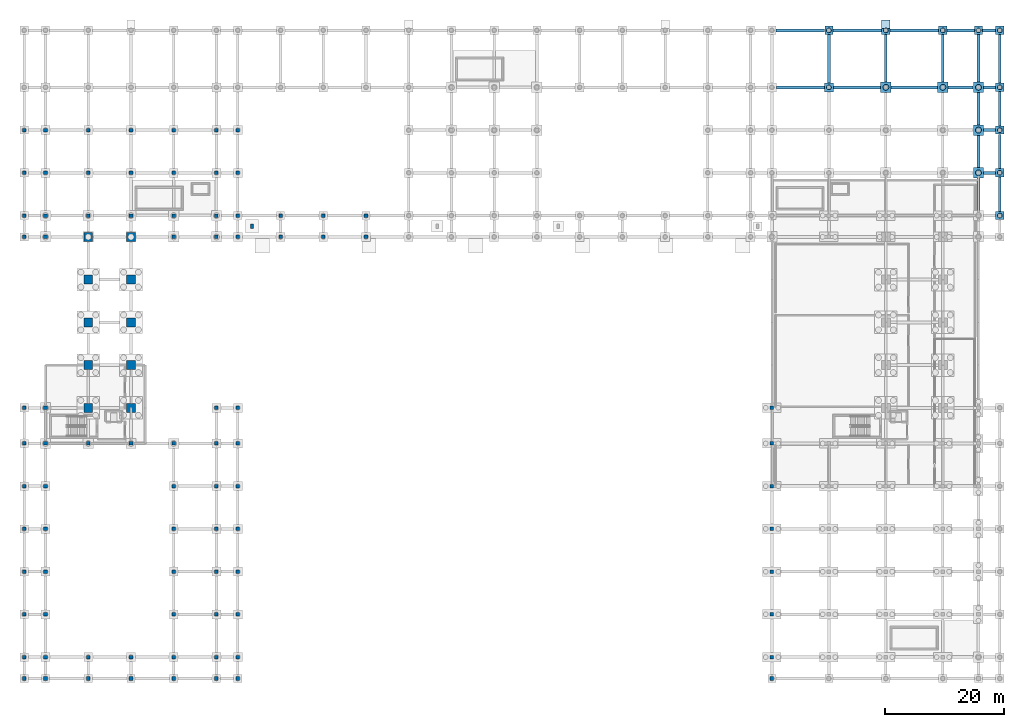
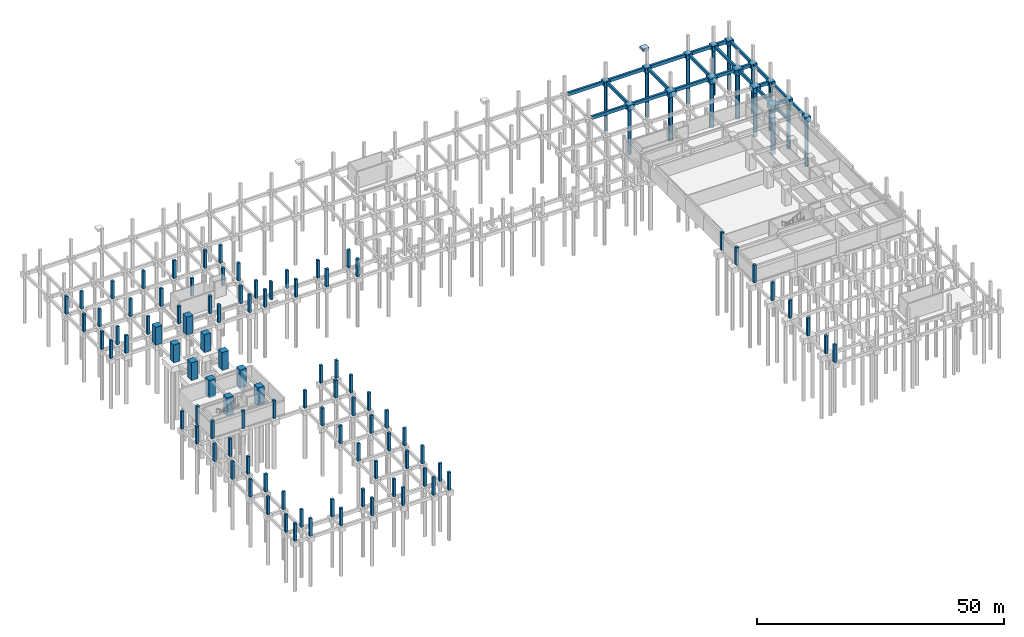
# One storey, part 11 of 20: 96 columns, 39 footings, 15 piles.
"""IFC4 building model written with IfcOpenShell, lengths in metres."""

from ifc_helpers import new_model, si_unit, direction, frame, origin, origin_2d, place, context, subcontext, project, spatial, polyline, rectangle, circle, outline, extrude, material, material_profile, profile_set, type_object, element, save


model = new_model("IFC4")

# Units and contexts
model_context = context("Model", 3, precision=1e-05, world=origin(), true_north=direction((0.0, 1.0)))
body_context = subcontext(model_context, "Body", "Model", "MODEL_VIEW")
ifc_project = project(units=[si_unit("LENGTHUNIT", "METRE"), si_unit("AREAUNIT", "SQUARE_METRE"), si_unit("VOLUMEUNIT", "CUBIC_METRE"), si_unit("PLANEANGLEUNIT", "RADIAN"), si_unit("MASSUNIT", "GRAM", prefix="KILO")], contexts=[model_context])

# Site, building, storey
site_placement = place(None, origin())
site = spatial("IfcSite", under=ifc_project, at=site_placement, CompositionType="ELEMENT")
building_placement = place(site_placement, origin())
building = spatial("IfcBuilding", under=site, at=building_placement, Name="Nzembalo Square Collegiate School", CompositionType="ELEMENT")
storey_placement = place(building_placement, frame((0.0, 0.0, -4.080078125)))
storey = spatial("IfcBuildingStorey", under=building, at=storey_placement, Name="B1", CompositionType="ELEMENT", Elevation=-4.080078125)

# Footings
ifc_material_1 = material(Name="Concrete C35/45", Category="concrete")
footing_type_1 = type_object("IfcFootingType", Name="PC05", PredefinedType="PILE_CAP", material=ifc_material_1)
for number, where, z_axis, x_axis, name in (
    (1, (150.0, 104.39990234375, -1.60009765625), (0.0, 0.0, 1.0), (1.0, 0.0, 0.0), "Pile cap PC05 at 22/P"),
    (2, (159.60009765625, 104.39990234375, -1.60009765625), (0.0, 0.0, 1.0), (1.0, 0.0, 0.0), "Pile cap PC05 at 23/P"),
    (3, (165.60009765625, 90.0, -1.60009765625), (0.0, 0.0, 1.0), (1.0, 0.0, 0.0), "Pile cap PC05 at 24/N"),
    (4, (165.60009765625, 97.199951171875, -1.60009765625), (0.0, 0.0, 1.0), (1.0, 0.0, 0.0), "Pile cap PC05 at 24/O"),
    (5, (165.60009765625, 104.39990234375, -1.60009765625), (0.0, 0.0, 1.0), (1.0, 0.0, 0.0), "Pile cap PC05 at 24/P"),
):
    element("IfcFooting", number, at=place(storey_placement, frame(where, z_axis=z_axis, x_axis=x_axis)), inside=storey, type_object=footing_type_1, Name=name, PredefinedType="PILE_CAP", context=body_context, shape_type="SweptSolid", body=[
        extrude(rectangle(XDim=1.75, YDim=1.75, at=origin_2d()), origin(), (0.0, 0.0, 1.0), 1.300048828125),
    ])
ifc_material_2 = material(Name="Concrete C35/45", Category="concrete")
footing_type_2 = type_object("IfcFootingType", Name="PC06", PredefinedType="PILE_CAP", material=ifc_material_2)
footing_1_placement = place(storey_placement, frame((140.39990234375, 104.39990234375, -1.5498046875), z_axis=(0.0, 0.0, 1.0), x_axis=(1.0, 0.0, 0.0)))
element("IfcFooting", 6, at=footing_1_placement, inside=storey, type_object=footing_type_2, Name="Pile cap PC06 at 21/P", PredefinedType="PILE_CAP", context=body_context, shape_type="SweptSolid", body=[
    extrude(rectangle(XDim=1.5, YDim=1.5, at=origin_2d()), origin(), (0.0, 0.0, 1.0), 1.25),
])
ifc_material_3 = material(Name="Concrete C35/45", Category="concrete")
footing_type_3 = type_object("IfcFootingType", Name="PC07", PredefinedType="PILE_CAP", material=ifc_material_3)
for number, where, z_axis, x_axis, name in (
    (7, (140.39990234375, 114.0, -1.5), (0.0, 0.0, 1.0), (1.0, 0.0, 0.0), "Pile cap PC07 at 21/Q"),
    (8, (150.0, 114.0, -1.5), (0.0, 0.0, 1.0), (1.0, 0.0, 0.0), "Pile cap PC07 at 22/Q"),
    (9, (159.60009765625, 114.0, -1.5), (0.0, 0.0, 1.0), (1.0, 0.0, 0.0), "Pile cap PC07 at 23/Q"),
    (10, (165.60009765625, 114.0, -1.5), (0.0, 0.0, 1.0), (1.0, 0.0, 0.0), "Pile cap PC07 at 24/Q"),
    (11, (169.199951171875, 82.800048828125, -1.5), (0.0, 0.0, 1.0), (1.0, 0.0, 0.0), "Pile cap PC07 at 25/M"),
    (12, (169.199951171875, 90.0, -1.5), (0.0, 0.0, 1.0), (1.0, 0.0, 0.0), "Pile cap PC07 at 25/N"),
    (13, (169.199951171875, 97.199951171875, -1.5), (0.0, 0.0, 1.0), (1.0, 0.0, 0.0), "Pile cap PC07 at 25/O"),
    (14, (169.199951171875, 104.39990234375, -1.5), (0.0, 0.0, 1.0), (1.0, 0.0, 0.0), "Pile cap PC07 at 25/P"),
    (15, (169.199951171875, 114.0, -1.5), (0.0, 0.0, 1.0), (1.0, 0.0, 0.0), "Pile cap PC07 at 25/Q"),
):
    element("IfcFooting", number, at=place(storey_placement, frame(where, z_axis=z_axis, x_axis=x_axis)), inside=storey, type_object=footing_type_3, Name=name, PredefinedType="PILE_CAP", context=body_context, shape_type="SweptSolid", body=[
        extrude(rectangle(XDim=1.39990234375, YDim=1.39990234375, at=origin_2d()), origin(), (0.0, 0.0, 1.0), 1.199951171875),
    ])
ifc_material_4 = material(Name="Concrete C30/37", Category="concrete")
footing_type_4 = type_object("IfcFootingType", Name="FG01", PredefinedType="FOOTING_BEAM", material=ifc_material_4)
footing_2_placement = place(storey_placement, frame((0.0, 0.0, -1.099853515625)))
element("IfcFooting", 16, at=footing_2_placement, inside=storey, type_object=footing_type_4, Name="Ground beam FG01 24-25/N", PredefinedType="FOOTING_BEAM", context=body_context, shape_type="SweptSolid", body=[
    extrude(outline(polyline([(166.485107421875, 89.75), (168.489990234375, 89.75), (168.489990234375, 90.25), (166.485107421875, 90.25), (166.485107421875, 89.75)])), origin(), (0.0, 0.0, 1.0), 0.800048828125),
])
footing_3_placement = place(storey_placement, frame((0.0, 0.0, -1.099853515625)))
element("IfcFooting", 17, at=footing_3_placement, inside=storey, type_object=footing_type_4, Name="Ground beam FG01 24-25/O", PredefinedType="FOOTING_BEAM", context=body_context, shape_type="SweptSolid", body=[
    extrude(outline(polyline([(166.485107421875, 96.949951171875), (168.489990234375, 96.949951171875), (168.489990234375, 97.449951171875), (166.485107421875, 97.449951171875), (166.485107421875, 96.949951171875)])), origin(), (0.0, 0.0, 1.0), 0.800048828125),
])
footing_4_placement = place(storey_placement, frame((0.0, 0.0, -1.099853515625)))
element("IfcFooting", 18, at=footing_4_placement, inside=storey, type_object=footing_type_4, Name="Ground beam FG01 20-21/P", PredefinedType="FOOTING_BEAM", context=body_context, shape_type="SweptSolid", body=[
    extrude(outline(polyline([(131.56005859375, 104.14990234375), (139.639892578125, 104.14990234375), (139.639892578125, 104.64990234375), (131.56005859375, 104.64990234375), (131.56005859375, 104.14990234375)])), origin(), (0.0, 0.0, 1.0), 0.800048828125),
])
footing_5_placement = place(storey_placement, frame((0.0, 0.0, -1.099853515625)))
element("IfcFooting", 19, at=footing_5_placement, inside=storey, type_object=footing_type_4, Name="Ground beam FG01 21-22/P", PredefinedType="FOOTING_BEAM", context=body_context, shape_type="SweptSolid", body=[
    extrude(outline(polyline([(141.159912109375, 104.14990234375), (149.114990234375, 104.14990234375), (149.114990234375, 104.64990234375), (141.159912109375, 104.64990234375), (141.159912109375, 104.14990234375)])), origin(), (0.0, 0.0, 1.0), 0.800048828125),
])
footing_6_placement = place(storey_placement, frame((0.0, 0.0, -1.099853515625)))
element("IfcFooting", 20, at=footing_6_placement, inside=storey, type_object=footing_type_4, Name="Ground beam FG01 22-23/P", PredefinedType="FOOTING_BEAM", context=body_context, shape_type="SweptSolid", body=[
    extrude(outline(polyline([(150.885009765625, 104.14990234375), (158.715087890625, 104.14990234375), (158.715087890625, 104.64990234375), (150.885009765625, 104.64990234375), (150.885009765625, 104.14990234375)])), origin(), (0.0, 0.0, 1.0), 0.800048828125),
])
footing_7_placement = place(storey_placement, frame((0.0, 0.0, -1.099853515625)))
element("IfcFooting", 21, at=footing_7_placement, inside=storey, type_object=footing_type_4, Name="Ground beam FG01 23-24/P", PredefinedType="FOOTING_BEAM", context=body_context, shape_type="SweptSolid", body=[
    extrude(outline(polyline([(160.485107421875, 104.14990234375), (164.715087890625, 104.14990234375), (164.715087890625, 104.64990234375), (160.485107421875, 104.64990234375), (160.485107421875, 104.14990234375)])), origin(), (0.0, 0.0, 1.0), 0.800048828125),
])
footing_8_placement = place(storey_placement, frame((0.0, 0.0, -1.099853515625)))
element("IfcFooting", 22, at=footing_8_placement, inside=storey, type_object=footing_type_4, Name="Ground beam FG01 24-25/P", PredefinedType="FOOTING_BEAM", context=body_context, shape_type="SweptSolid", body=[
    extrude(outline(polyline([(166.485107421875, 104.14990234375), (168.489990234375, 104.14990234375), (168.489990234375, 104.64990234375), (166.485107421875, 104.64990234375), (166.485107421875, 104.14990234375)])), origin(), (0.0, 0.0, 1.0), 0.800048828125),
])
footing_9_placement = place(storey_placement, frame((0.0, 0.0, -1.099853515625)))
element("IfcFooting", 23, at=footing_9_placement, inside=storey, type_object=footing_type_4, Name="Ground beam FG01 20-21/Q", PredefinedType="FOOTING_BEAM", context=body_context, shape_type="SweptSolid", body=[
    extrude(outline(polyline([(131.510009765625, 113.75), (139.68994140625, 113.75), (139.68994140625, 114.25), (131.510009765625, 114.25), (131.510009765625, 113.75)])), origin(), (0.0, 0.0, 1.0), 0.800048828125),
])
footing_10_placement = place(storey_placement, frame((0.0, 0.0, -1.099853515625)))
element("IfcFooting", 24, at=footing_10_placement, inside=storey, type_object=footing_type_4, Name="Ground beam FG01 21-22/Q", PredefinedType="FOOTING_BEAM", context=body_context, shape_type="SweptSolid", body=[
    extrude(outline(polyline([(141.110107421875, 113.75), (149.2900390625, 113.75), (149.2900390625, 114.25), (141.110107421875, 114.25), (141.110107421875, 113.75)])), origin(), (0.0, 0.0, 1.0), 0.800048828125),
])
footing_11_placement = place(storey_placement, frame((0.0, 0.0, -1.099853515625)))
element("IfcFooting", 25, at=footing_11_placement, inside=storey, type_object=footing_type_4, Name="Ground beam FG01 22-23/Q", PredefinedType="FOOTING_BEAM", context=body_context, shape_type="SweptSolid", body=[
    extrude(outline(polyline([(150.7099609375, 113.75), (158.889892578125, 113.75), (158.889892578125, 114.25), (150.7099609375, 114.25), (150.7099609375, 113.75)])), origin(), (0.0, 0.0, 1.0), 0.800048828125),
])
footing_12_placement = place(storey_placement, frame((0.0, 0.0, -1.099853515625)))
element("IfcFooting", 26, at=footing_12_placement, inside=storey, type_object=footing_type_4, Name="Ground beam FG01 23-24/Q", PredefinedType="FOOTING_BEAM", context=body_context, shape_type="SweptSolid", body=[
    extrude(outline(polyline([(160.31005859375, 113.75), (164.889892578125, 113.75), (164.889892578125, 114.25), (160.31005859375, 114.25), (160.31005859375, 113.75)])), origin(), (0.0, 0.0, 1.0), 0.800048828125),
])
footing_13_placement = place(storey_placement, frame((0.0, 0.0, -1.099853515625)))
element("IfcFooting", 27, at=footing_13_placement, inside=storey, type_object=footing_type_4, Name="Ground beam FG01 24-25/Q", PredefinedType="FOOTING_BEAM", context=body_context, shape_type="SweptSolid", body=[
    extrude(outline(polyline([(166.31005859375, 113.75), (168.489990234375, 113.75), (168.489990234375, 114.25), (166.31005859375, 114.25), (166.31005859375, 113.75)])), origin(), (0.0, 0.0, 1.0), 0.800048828125),
])
ifc_material_5 = material(Name="Concrete C30/37", Category="concrete")
footing_type_5 = type_object("IfcFootingType", Name="FG02", PredefinedType="FOOTING_BEAM", material=ifc_material_5)
footing_14_placement = place(storey_placement, frame((0.0, 0.0, -1.0)))
element("IfcFooting", 28, at=footing_14_placement, inside=storey, type_object=footing_type_5, Name="Ground beam FG02 21/P-Q", PredefinedType="FOOTING_BEAM", context=body_context, shape_type="SweptSolid", body=[
    extrude(outline(polyline([(140.175048828125, 105.159912109375), (140.625, 105.159912109375), (140.625, 113.2900390625), (140.175048828125, 113.2900390625), (140.175048828125, 105.159912109375)])), origin(), (0.0, 0.0, 1.0), 0.7001953125),
])
footing_15_placement = place(storey_placement, frame((0.0, 0.0, -1.0)))
element("IfcFooting", 29, at=footing_15_placement, inside=storey, type_object=footing_type_5, Name="Ground beam FG02 22/P-Q", PredefinedType="FOOTING_BEAM", context=body_context, shape_type="SweptSolid", body=[
    extrude(outline(polyline([(149.77490234375, 105.284912109375), (150.22509765625, 105.284912109375), (150.22509765625, 113.2900390625), (149.77490234375, 113.2900390625), (149.77490234375, 105.284912109375)])), origin(), (0.0, 0.0, 1.0), 0.7001953125),
])
footing_16_placement = place(storey_placement, frame((0.0, 0.0, -1.0)))
element("IfcFooting", 30, at=footing_16_placement, inside=storey, type_object=footing_type_5, Name="Ground beam FG02 23/P-Q", PredefinedType="FOOTING_BEAM", context=body_context, shape_type="SweptSolid", body=[
    extrude(outline(polyline([(159.375, 105.284912109375), (159.824951171875, 105.284912109375), (159.824951171875, 113.2900390625), (159.375, 113.2900390625), (159.375, 105.284912109375)])), origin(), (0.0, 0.0, 1.0), 0.7001953125),
])
footing_17_placement = place(storey_placement, frame((0.0, 0.0, -1.0)))
element("IfcFooting", 31, at=footing_17_placement, inside=storey, type_object=footing_type_5, Name="Ground beam FG02 24/M-N", PredefinedType="FOOTING_BEAM", context=body_context, shape_type="SweptSolid", body=[
    extrude(outline(polyline([(165.375, 83.68505859375), (165.824951171875, 83.68505859375), (165.824951171875, 89.114990234375), (165.375, 89.114990234375), (165.375, 83.68505859375)])), origin(), (0.0, 0.0, 1.0), 0.7001953125),
])
footing_18_placement = place(storey_placement, frame((0.0, 0.0, -1.0)))
element("IfcFooting", 32, at=footing_18_placement, inside=storey, type_object=footing_type_5, Name="Ground beam FG02 24/N-O", PredefinedType="FOOTING_BEAM", context=body_context, shape_type="SweptSolid", body=[
    extrude(outline(polyline([(165.375, 90.885009765625), (165.824951171875, 90.885009765625), (165.824951171875, 96.31494140625), (165.375, 96.31494140625), (165.375, 90.885009765625)])), origin(), (0.0, 0.0, 1.0), 0.7001953125),
])
footing_19_placement = place(storey_placement, frame((0.0, 0.0, -1.0)))
element("IfcFooting", 33, at=footing_19_placement, inside=storey, type_object=footing_type_5, Name="Ground beam FG02 24/O-P", PredefinedType="FOOTING_BEAM", context=body_context, shape_type="SweptSolid", body=[
    extrude(outline(polyline([(165.375, 98.0849609375), (165.824951171875, 98.0849609375), (165.824951171875, 103.514892578125), (165.375, 103.514892578125), (165.375, 98.0849609375)])), origin(), (0.0, 0.0, 1.0), 0.7001953125),
])
footing_20_placement = place(storey_placement, frame((0.0, 0.0, -1.0)))
element("IfcFooting", 34, at=footing_20_placement, inside=storey, type_object=footing_type_5, Name="Ground beam FG02 24/P-Q", PredefinedType="FOOTING_BEAM", context=body_context, shape_type="SweptSolid", body=[
    extrude(outline(polyline([(165.375, 105.284912109375), (165.824951171875, 105.284912109375), (165.824951171875, 113.2900390625), (165.375, 113.2900390625), (165.375, 105.284912109375)])), origin(), (0.0, 0.0, 1.0), 0.7001953125),
])
footing_21_placement = place(storey_placement, frame((0.0, 0.0, -1.0)))
element("IfcFooting", 35, at=footing_21_placement, inside=storey, type_object=footing_type_5, Name="Ground beam FG02 25/M-N", PredefinedType="FOOTING_BEAM", context=body_context, shape_type="SweptSolid", body=[
    extrude(outline(polyline([(168.97509765625, 83.510009765625), (169.425048828125, 83.510009765625), (169.425048828125, 89.2900390625), (168.97509765625, 89.2900390625), (168.97509765625, 83.510009765625)])), origin(), (0.0, 0.0, 1.0), 0.7001953125),
])
footing_22_placement = place(storey_placement, frame((0.0, 0.0, -1.0)))
element("IfcFooting", 36, at=footing_22_placement, inside=storey, type_object=footing_type_5, Name="Ground beam FG02 25/N-O", PredefinedType="FOOTING_BEAM", context=body_context, shape_type="SweptSolid", body=[
    extrude(outline(polyline([(168.97509765625, 90.7099609375), (169.425048828125, 90.7099609375), (169.425048828125, 96.489990234375), (168.97509765625, 96.489990234375), (168.97509765625, 90.7099609375)])), origin(), (0.0, 0.0, 1.0), 0.7001953125),
])
footing_23_placement = place(storey_placement, frame((0.0, 0.0, -1.0)))
element("IfcFooting", 37, at=footing_23_placement, inside=storey, type_object=footing_type_5, Name="Ground beam FG02 25/O-P", PredefinedType="FOOTING_BEAM", context=body_context, shape_type="SweptSolid", body=[
    extrude(outline(polyline([(168.97509765625, 97.909912109375), (169.425048828125, 97.909912109375), (169.425048828125, 103.68994140625), (168.97509765625, 103.68994140625), (168.97509765625, 97.909912109375)])), origin(), (0.0, 0.0, 1.0), 0.7001953125),
])
footing_24_placement = place(storey_placement, frame((0.0, 0.0, -1.0)))
element("IfcFooting", 38, at=footing_24_placement, inside=storey, type_object=footing_type_5, Name="Ground beam FG02 25/P-Q", PredefinedType="FOOTING_BEAM", context=body_context, shape_type="SweptSolid", body=[
    extrude(outline(polyline([(168.97509765625, 105.110107421875), (169.425048828125, 105.110107421875), (169.425048828125, 113.2900390625), (168.97509765625, 113.2900390625), (168.97509765625, 105.110107421875)])), origin(), (0.0, 0.0, 1.0), 0.7001953125),
])
ifc_material_6 = material(Name="Concrete C35/45", Category="concrete")
footing_type_6 = type_object("IfcFootingType", Name="PF06", PredefinedType="PAD_FOOTING", material=ifc_material_6)
footing_25_placement = place(storey_placement, frame((150.0, 115.050048828125, 3.260009765625), z_axis=(0.0, 0.0, 1.0), x_axis=(1.0, 0.0, 0.0)))
element("IfcFooting", 39, at=footing_25_placement, inside=storey, type_object=footing_type_6, Name="Apron foundation pad PF06-04", PredefinedType="PAD_FOOTING", context=body_context, shape_type="SweptSolid", body=[
    extrude(rectangle(XDim=1.39990234375, YDim=1.39990234375, at=origin_2d()), origin(), (0.0, 0.0, 1.0), 0.60009765625),
])

# Piles
ifc_material_7 = material(Name="Concrete C30/37", Category="concrete")
ifc_material_profile_1 = material_profile(ifc_material_7, circle(Radius=0.5, at=origin_2d()), Name="PILE D1000")
ifc_profile_set_1 = profile_set([ifc_material_profile_1], Name="Concrete C30/37")
pile_type_1 = type_object("IfcPileType", Name="P01", PredefinedType="BORED", material=ifc_profile_set_1)
for number, where, z_axis, x_axis, name in (
    (40, (150.0, 104.39990234375, -1.5), (0.0, 0.0, -1.0), (1.0, 0.0, 0.0), "Bored pile P01-158"),
    (41, (159.60009765625, 104.39990234375, -1.5), (0.0, 0.0, -1.0), (1.0, 0.0, 0.0), "Bored pile P01-195"),
    (42, (165.60009765625, 90.0, -1.5), (0.0, 0.0, -1.0), (1.0, 0.0, 0.0), "Bored pile P01-213"),
    (43, (165.60009765625, 97.199951171875, -1.5), (0.0, 0.0, -1.0), (1.0, 0.0, 0.0), "Bored pile P01-214"),
    (44, (165.60009765625, 104.39990234375, -1.5), (0.0, 0.0, -1.0), (1.0, 0.0, 0.0), "Bored pile P01-215"),
):
    element("IfcPile", number, at=place(storey_placement, frame(where, z_axis=z_axis, x_axis=x_axis)), inside=storey, type_object=pile_type_1, Name=name, PredefinedType="BORED", context=body_context, shape_type="SweptSolid", body=[
        extrude(circle(Radius=0.5, at=origin_2d()), origin(), (0.0, 0.0, 1.0), 11.219970703125),
    ])
ifc_material_8 = material(Name="Concrete C30/37", Category="concrete")
ifc_material_profile_2 = material_profile(ifc_material_8, circle(Radius=0.39990234375, at=origin_2d()), Name="PILE D800")
ifc_profile_set_2 = profile_set([ifc_material_profile_2], Name="Concrete C30/37")
pile_type_2 = type_object("IfcPileType", Name="P02", PredefinedType="BORED", material=ifc_profile_set_2)
pile_placement = place(storey_placement, frame((140.39990234375, 104.39990234375, -1.449951171875), z_axis=(0.0, 0.0, -1.0), x_axis=(1.0, 0.0, 0.0)))
element("IfcPile", 45, at=pile_placement, inside=storey, type_object=pile_type_2, Name="Bored pile P02-121", PredefinedType="BORED", context=body_context, shape_type="SweptSolid", body=[
    extrude(circle(Radius=0.39990234375, at=origin_2d()), origin(), (0.0, 0.0, 1.0), 11.27001953125),
])
for number, where, z_axis, x_axis, name in (
    (46, (140.39990234375, 114.0, -1.39990234375), (0.0, 0.0, -1.0), (1.0, 0.0, 0.0), "Bored pile P02-122"),
    (47, (150.0, 114.0, -1.39990234375), (0.0, 0.0, -1.0), (1.0, 0.0, 0.0), "Bored pile P02-159"),
    (48, (159.60009765625, 114.0, -1.39990234375), (0.0, 0.0, -1.0), (1.0, 0.0, 0.0), "Bored pile P02-196"),
    (49, (165.60009765625, 114.0, -1.39990234375), (0.0, 0.0, -1.0), (1.0, 0.0, 0.0), "Bored pile P02-216"),
    (50, (169.199951171875, 82.800048828125, -1.39990234375), (0.0, 0.0, -1.0), (1.0, 0.0, 0.0), "Bored pile P02-226"),
    (51, (169.199951171875, 90.0, -1.39990234375), (0.0, 0.0, -1.0), (1.0, 0.0, 0.0), "Bored pile P02-227"),
    (52, (169.199951171875, 97.199951171875, -1.39990234375), (0.0, 0.0, -1.0), (1.0, 0.0, 0.0), "Bored pile P02-228"),
    (53, (169.199951171875, 104.39990234375, -1.39990234375), (0.0, 0.0, -1.0), (1.0, 0.0, 0.0), "Bored pile P02-229"),
    (54, (169.199951171875, 114.0, -1.39990234375), (0.0, 0.0, -1.0), (1.0, 0.0, 0.0), "Bored pile P02-230"),
):
    element("IfcPile", number, at=place(storey_placement, frame(where, z_axis=z_axis, x_axis=x_axis)), inside=storey, type_object=pile_type_2, Name=name, PredefinedType="BORED", context=body_context, shape_type="SweptSolid", body=[
        extrude(circle(Radius=0.39990234375, at=origin_2d()), origin(), (0.0, 0.0, 1.0), 11.320068359375),
    ])

# Columns
ifc_material_9 = material(Name="Concrete C40/50", Category="concrete")
ifc_material_profile_3 = material_profile(ifc_material_9, rectangle(XDim=1.5, YDim=1.5, at=origin_2d()), Name="RC 1500x1500")
ifc_profile_set_3 = profile_set([ifc_material_profile_3], Name="Concrete C40/50")
column_type_1 = type_object("IfcColumnType", Name="C01", PredefinedType="COLUMN", material=ifc_profile_set_3)
for number, where, z_axis, x_axis, name in (
    (55, (15.60009765625, 50.39990234375, -0.2998046875), (0.0, 0.0, 1.0), (1.0, 0.0, 0.0), "Column C01 B1 3/H"),
    (56, (15.60009765625, 57.60009765625, -0.2998046875), (0.0, 0.0, 1.0), (1.0, 0.0, 0.0), "Column C01 B1 3/I"),
    (57, (15.60009765625, 64.800048828125, -0.2998046875), (0.0, 0.0, 1.0), (1.0, 0.0, 0.0), "Column C01 B1 3/J"),
    (58, (15.60009765625, 72.0, -0.2998046875), (0.0, 0.0, 1.0), (1.0, 0.0, 0.0), "Column C01 B1 3/K"),
    (59, (15.60009765625, 79.199951171875, -0.2998046875), (0.0, 0.0, 1.0), (1.0, 0.0, 0.0), "Column C01 B1 3/L"),
    (60, (22.800048828125, 50.39990234375, -0.2998046875), (0.0, 0.0, 1.0), (1.0, 0.0, 0.0), "Column C01 B1 4/H"),
    (61, (22.800048828125, 57.60009765625, -0.2998046875), (0.0, 0.0, 1.0), (1.0, 0.0, 0.0), "Column C01 B1 4/I"),
    (62, (22.800048828125, 64.800048828125, -0.2998046875), (0.0, 0.0, 1.0), (1.0, 0.0, 0.0), "Column C01 B1 4/J"),
    (63, (22.800048828125, 72.0, -0.2998046875), (0.0, 0.0, 1.0), (1.0, 0.0, 0.0), "Column C01 B1 4/K"),
    (64, (22.800048828125, 79.199951171875, -0.2998046875), (0.0, 0.0, 1.0), (1.0, 0.0, 0.0), "Column C01 B1 4/L"),
):
    element("IfcColumn", number, at=place(storey_placement, frame(where, z_axis=z_axis, x_axis=x_axis)), inside=storey, type_object=column_type_1, Name=name, PredefinedType="COLUMN", context=body_context, shape_type="SweptSolid", body=[
        extrude(rectangle(XDim=1.5, YDim=1.5, at=origin_2d()), origin(), (0.0, 0.0, 1.0), 4.3798828125),
    ])
ifc_material_10 = material(Name="Concrete C35/45", Category="concrete")
ifc_material_profile_4 = material_profile(ifc_material_10, rectangle(XDim=0.60009765625, YDim=0.60009765625, at=origin_2d()), Name="RC 600x600")
ifc_profile_set_4 = profile_set([ifc_material_profile_4], Name="Concrete C35/45")
column_type_2 = type_object("IfcColumnType", Name="C03", PredefinedType="COLUMN", material=ifc_profile_set_4)
for number, where, z_axis, x_axis, name in (
    (65, (4.800048828125, 4.800048828125, -0.2998046875), (0.0, 0.0, 1.0), (1.0, 0.0, 0.0), "Column C03 B1 1/A"),
    (66, (4.800048828125, 8.39990234375, -0.2998046875), (0.0, 0.0, 1.0), (1.0, 0.0, 0.0), "Column C03 B1 1/B"),
    (67, (4.800048828125, 15.60009765625, -0.2998046875), (0.0, 0.0, 1.0), (1.0, 0.0, 0.0), "Column C03 B1 1/C"),
    (68, (4.800048828125, 22.800048828125, -0.2998046875), (0.0, 0.0, 1.0), (1.0, 0.0, 0.0), "Column C03 B1 1/D"),
    (69, (4.800048828125, 30.0, -0.2998046875), (0.0, 0.0, 1.0), (1.0, 0.0, 0.0), "Column C03 B1 1/E"),
    (70, (4.800048828125, 37.199951171875, -0.2998046875), (0.0, 0.0, 1.0), (1.0, 0.0, 0.0), "Column C03 B1 1/F"),
    (71, (4.800048828125, 44.39990234375, -0.2998046875), (0.0, 0.0, 1.0), (1.0, 0.0, 0.0), "Column C03 B1 1/G"),
    (72, (4.800048828125, 50.39990234375, -0.2998046875), (0.0, 0.0, 1.0), (1.0, 0.0, 0.0), "Column C03 B1 1/H"),
    (73, (4.800048828125, 79.199951171875, -0.2998046875), (0.0, 0.0, 1.0), (1.0, 0.0, 0.0), "Column C03 B1 1/L"),
    (74, (4.800048828125, 82.800048828125, -0.2998046875), (0.0, 0.0, 1.0), (1.0, 0.0, 0.0), "Column C03 B1 1/M"),
    (75, (4.800048828125, 90.0, -0.2998046875), (0.0, 0.0, 1.0), (1.0, 0.0, 0.0), "Column C03 B1 1/N"),
    (76, (4.800048828125, 97.199951171875, -0.2998046875), (0.0, 0.0, 1.0), (1.0, 0.0, 0.0), "Column C03 B1 1/O"),
    (77, (62.39990234375, 79.199951171875, -0.2998046875), (0.0, 0.0, 1.0), (1.0, 0.0, 0.0), "Column C03 B1 10/L"),
    (78, (62.39990234375, 82.800048828125, -0.2998046875), (0.0, 0.0, 1.0), (1.0, 0.0, 0.0), "Column C03 B1 10/M"),
    (79, (8.39990234375, 4.800048828125, -0.2998046875), (0.0, 0.0, 1.0), (1.0, 0.0, 0.0), "Column C03 B1 2/A"),
    (80, (8.39990234375, 8.39990234375, -0.2998046875), (0.0, 0.0, 1.0), (1.0, 0.0, 0.0), "Column C03 B1 2/B"),
    (81, (8.39990234375, 15.60009765625, -0.2998046875), (0.0, 0.0, 1.0), (1.0, 0.0, 0.0), "Column C03 B1 2/C"),
    (82, (8.39990234375, 22.800048828125, -0.2998046875), (0.0, 0.0, 1.0), (1.0, 0.0, 0.0), "Column C03 B1 2/D"),
    (83, (8.39990234375, 30.0, -0.2998046875), (0.0, 0.0, 1.0), (1.0, 0.0, 0.0), "Column C03 B1 2/E"),
    (84, (8.39990234375, 37.199951171875, -0.2998046875), (0.0, 0.0, 1.0), (1.0, 0.0, 0.0), "Column C03 B1 2/F"),
    (85, (8.39990234375, 44.39990234375, -0.2998046875), (0.0, 0.0, 1.0), (1.0, 0.0, 0.0), "Column C03 B1 2/G"),
    (86, (8.39990234375, 50.39990234375, -0.2998046875), (0.0, 0.0, 1.0), (1.0, 0.0, 0.0), "Column C03 B1 2/H"),
    (87, (8.39990234375, 79.199951171875, -0.2998046875), (0.0, 0.0, 1.0), (1.0, 0.0, 0.0), "Column C03 B1 2/L"),
    (88, (8.39990234375, 82.800048828125, -0.2998046875), (0.0, 0.0, 1.0), (1.0, 0.0, 0.0), "Column C03 B1 2/M"),
    (89, (8.39990234375, 90.0, -0.2998046875), (0.0, 0.0, 1.0), (1.0, 0.0, 0.0), "Column C03 B1 2/N"),
    (90, (8.39990234375, 97.199951171875, -0.2998046875), (0.0, 0.0, 1.0), (1.0, 0.0, 0.0), "Column C03 B1 2/O"),
    (91, (130.800048828125, 4.800048828125, -0.2998046875), (0.0, 0.0, 1.0), (1.0, 0.0, 0.0), "Column C03 B1 20/A"),
    (92, (130.800048828125, 8.39990234375, -0.2998046875), (0.0, 0.0, 1.0), (1.0, 0.0, 0.0), "Column C03 B1 20/B"),
    (93, (130.800048828125, 15.60009765625, -0.2998046875), (0.0, 0.0, 1.0), (1.0, 0.0, 0.0), "Column C03 B1 20/C"),
    (94, (130.800048828125, 22.800048828125, -0.2998046875), (0.0, 0.0, 1.0), (1.0, 0.0, 0.0), "Column C03 B1 20/D"),
    (95, (130.800048828125, 30.0, -0.2998046875), (0.0, 0.0, 1.0), (1.0, 0.0, 0.0), "Column C03 B1 20/E"),
    (96, (130.800048828125, 37.199951171875, -0.2998046875), (0.0, 0.0, 1.0), (1.0, 0.0, 0.0), "Column C03 B1 20/F"),
    (97, (130.800048828125, 44.39990234375, -0.2998046875), (0.0, 0.0, 1.0), (1.0, 0.0, 0.0), "Column C03 B1 20/G"),
    (98, (130.800048828125, 50.39990234375, -0.2998046875), (0.0, 0.0, 1.0), (1.0, 0.0, 0.0), "Column C03 B1 20/H"),
    (99, (15.60009765625, 4.800048828125, -0.2998046875), (0.0, 0.0, 1.0), (1.0, 0.0, 0.0), "Column C03 B1 3/A"),
    (100, (15.60009765625, 8.39990234375, -0.2998046875), (0.0, 0.0, 1.0), (1.0, 0.0, 0.0), "Column C03 B1 3/B"),
    (101, (15.60009765625, 44.39990234375, -0.2998046875), (0.0, 0.0, 1.0), (1.0, 0.0, 0.0), "Column C03 B1 3/G"),
    (102, (15.60009765625, 82.800048828125, -0.2998046875), (0.0, 0.0, 1.0), (1.0, 0.0, 0.0), "Column C03 B1 3/M"),
    (103, (15.60009765625, 90.0, -0.2998046875), (0.0, 0.0, 1.0), (1.0, 0.0, 0.0), "Column C03 B1 3/N"),
    (104, (15.60009765625, 97.199951171875, -0.2998046875), (0.0, 0.0, 1.0), (1.0, 0.0, 0.0), "Column C03 B1 3/O"),
    (105, (22.800048828125, 4.800048828125, -0.2998046875), (0.0, 0.0, 1.0), (1.0, 0.0, 0.0), "Column C03 B1 4/A"),
    (106, (22.800048828125, 8.39990234375, -0.2998046875), (0.0, 0.0, 1.0), (1.0, 0.0, 0.0), "Column C03 B1 4/B"),
    (107, (22.800048828125, 44.39990234375, -0.2998046875), (0.0, 0.0, 1.0), (1.0, 0.0, 0.0), "Column C03 B1 4/G"),
    (108, (22.800048828125, 82.800048828125, -0.2998046875), (0.0, 0.0, 1.0), (1.0, 0.0, 0.0), "Column C03 B1 4/M"),
    (109, (22.800048828125, 90.0, -0.2998046875), (0.0, 0.0, 1.0), (1.0, 0.0, 0.0), "Column C03 B1 4/N"),
    (110, (22.800048828125, 97.199951171875, -0.2998046875), (0.0, 0.0, 1.0), (1.0, 0.0, 0.0), "Column C03 B1 4/O"),
    (111, (30.0, 4.800048828125, -0.2998046875), (0.0, 0.0, 1.0), (1.0, 0.0, 0.0), "Column C03 B1 5/A"),
    (112, (30.0, 8.39990234375, -0.2998046875), (0.0, 0.0, 1.0), (1.0, 0.0, 0.0), "Column C03 B1 5/B"),
    (113, (30.0, 15.60009765625, -0.2998046875), (0.0, 0.0, 1.0), (1.0, 0.0, 0.0), "Column C03 B1 5/C"),
    (114, (30.0, 22.800048828125, -0.2998046875), (0.0, 0.0, 1.0), (1.0, 0.0, 0.0), "Column C03 B1 5/D"),
    (115, (30.0, 30.0, -0.2998046875), (0.0, 0.0, 1.0), (1.0, 0.0, 0.0), "Column C03 B1 5/E"),
    (116, (30.0, 37.199951171875, -0.2998046875), (0.0, 0.0, 1.0), (1.0, 0.0, 0.0), "Column C03 B1 5/F"),
    (117, (30.0, 44.39990234375, -0.2998046875), (0.0, 0.0, 1.0), (1.0, 0.0, 0.0), "Column C03 B1 5/G"),
    (118, (30.0, 79.199951171875, -0.2998046875), (0.0, 0.0, 1.0), (1.0, 0.0, 0.0), "Column C03 B1 5/L"),
    (119, (30.0, 82.800048828125, -0.2998046875), (0.0, 0.0, 1.0), (1.0, 0.0, 0.0), "Column C03 B1 5/M"),
    (120, (30.0, 90.0, -0.2998046875), (0.0, 0.0, 1.0), (1.0, 0.0, 0.0), "Column C03 B1 5/N"),
    (121, (30.0, 97.199951171875, -0.2998046875), (0.0, 0.0, 1.0), (1.0, 0.0, 0.0), "Column C03 B1 5/O"),
    (122, (37.199951171875, 4.800048828125, -0.2998046875), (0.0, 0.0, 1.0), (1.0, 0.0, 0.0), "Column C03 B1 6/A"),
    (123, (37.199951171875, 8.39990234375, -0.2998046875), (0.0, 0.0, 1.0), (1.0, 0.0, 0.0), "Column C03 B1 6/B"),
    (124, (37.199951171875, 15.60009765625, -0.2998046875), (0.0, 0.0, 1.0), (1.0, 0.0, 0.0), "Column C03 B1 6/C"),
    (125, (37.199951171875, 22.800048828125, -0.2998046875), (0.0, 0.0, 1.0), (1.0, 0.0, 0.0), "Column C03 B1 6/D"),
    (126, (37.199951171875, 30.0, -0.2998046875), (0.0, 0.0, 1.0), (1.0, 0.0, 0.0), "Column C03 B1 6/E"),
    (127, (37.199951171875, 37.199951171875, -0.2998046875), (0.0, 0.0, 1.0), (1.0, 0.0, 0.0), "Column C03 B1 6/F"),
    (128, (37.199951171875, 44.39990234375, -0.2998046875), (0.0, 0.0, 1.0), (1.0, 0.0, 0.0), "Column C03 B1 6/G"),
    (129, (37.199951171875, 50.39990234375, -0.2998046875), (0.0, 0.0, 1.0), (1.0, 0.0, 0.0), "Column C03 B1 6/H"),
    (130, (37.199951171875, 79.199951171875, -0.2998046875), (0.0, 0.0, 1.0), (1.0, 0.0, 0.0), "Column C03 B1 6/L"),
    (131, (37.199951171875, 82.800048828125, -0.2998046875), (0.0, 0.0, 1.0), (1.0, 0.0, 0.0), "Column C03 B1 6/M"),
    (132, (37.199951171875, 90.0, -0.2998046875), (0.0, 0.0, 1.0), (1.0, 0.0, 0.0), "Column C03 B1 6/N"),
    (133, (37.199951171875, 97.199951171875, -0.2998046875), (0.0, 0.0, 1.0), (1.0, 0.0, 0.0), "Column C03 B1 6/O"),
    (134, (40.800048828125, 4.800048828125, -0.2998046875), (0.0, 0.0, 1.0), (1.0, 0.0, 0.0), "Column C03 B1 7/A"),
    (135, (40.800048828125, 8.39990234375, -0.2998046875), (0.0, 0.0, 1.0), (1.0, 0.0, 0.0), "Column C03 B1 7/B"),
    (136, (40.800048828125, 15.60009765625, -0.2998046875), (0.0, 0.0, 1.0), (1.0, 0.0, 0.0), "Column C03 B1 7/C"),
    (137, (40.800048828125, 22.800048828125, -0.2998046875), (0.0, 0.0, 1.0), (1.0, 0.0, 0.0), "Column C03 B1 7/D"),
    (138, (40.800048828125, 30.0, -0.2998046875), (0.0, 0.0, 1.0), (1.0, 0.0, 0.0), "Column C03 B1 7/E"),
    (139, (40.800048828125, 37.199951171875, -0.2998046875), (0.0, 0.0, 1.0), (1.0, 0.0, 0.0), "Column C03 B1 7/F"),
    (140, (40.800048828125, 44.39990234375, -0.2998046875), (0.0, 0.0, 1.0), (1.0, 0.0, 0.0), "Column C03 B1 7/G"),
    (141, (40.800048828125, 50.39990234375, -0.2998046875), (0.0, 0.0, 1.0), (1.0, 0.0, 0.0), "Column C03 B1 7/H"),
    (142, (40.800048828125, 79.199951171875, -0.2998046875), (0.0, 0.0, 1.0), (1.0, 0.0, 0.0), "Column C03 B1 7/L"),
    (143, (40.800048828125, 82.800048828125, -0.2998046875), (0.0, 0.0, 1.0), (1.0, 0.0, 0.0), "Column C03 B1 7/M"),
    (144, (40.800048828125, 90.0, -0.2998046875), (0.0, 0.0, 1.0), (1.0, 0.0, 0.0), "Column C03 B1 7/N"),
    (145, (40.800048828125, 97.199951171875, -0.2998046875), (0.0, 0.0, 1.0), (1.0, 0.0, 0.0), "Column C03 B1 7/O"),
    (146, (48.0, 79.199951171875, -0.2998046875), (0.0, 0.0, 1.0), (1.0, 0.0, 0.0), "Column C03 B1 8/L"),
    (147, (48.0, 82.800048828125, -0.2998046875), (0.0, 0.0, 1.0), (1.0, 0.0, 0.0), "Column C03 B1 8/M"),
    (148, (55.199951171875, 79.199951171875, -0.2998046875), (0.0, 0.0, 1.0), (1.0, 0.0, 0.0), "Column C03 B1 9/L"),
    (149, (55.199951171875, 82.800048828125, -0.2998046875), (0.0, 0.0, 1.0), (1.0, 0.0, 0.0), "Column C03 B1 9/M"),
):
    element("IfcColumn", number, at=place(storey_placement, frame(where, z_axis=z_axis, x_axis=x_axis)), inside=storey, type_object=column_type_2, Name=name, PredefinedType="COLUMN", context=body_context, shape_type="SweptSolid", body=[
        extrude(rectangle(XDim=0.60009765625, YDim=0.60009765625, at=origin_2d()), origin(), (0.0, 0.0, 1.0), 4.3798828125),
    ])
ifc_material_11 = material(Name="Concrete C35/45", Category="concrete")
ifc_material_profile_5 = material_profile(ifc_material_11, rectangle(XDim=0.449951171875, YDim=0.75, at=origin_2d()), Name="RC 450x750")
ifc_profile_set_5 = profile_set([ifc_material_profile_5], Name="Concrete C35/45")
column_type_3 = type_object("IfcColumnType", Name="CP01", PredefinedType="PILASTER", material=ifc_profile_set_5)
column_placement = place(storey_placement, frame((43.199951171875, 81.0, -0.2998046875), z_axis=(0.0, 0.0, 1.0), x_axis=(1.0, 0.0, 0.0)))
element("IfcColumn", 150, at=column_placement, inside=storey, type_object=column_type_3, Name="Portal plinth pier CP01 B1 PF1", PredefinedType="PILASTER", context=body_context, shape_type="SweptSolid", body=[
    extrude(rectangle(XDim=0.449951171875, YDim=0.75, at=origin_2d()), origin(), (0.0, 0.0, 1.0), 4.3798828125),
])

save(model, "model.ifc")
